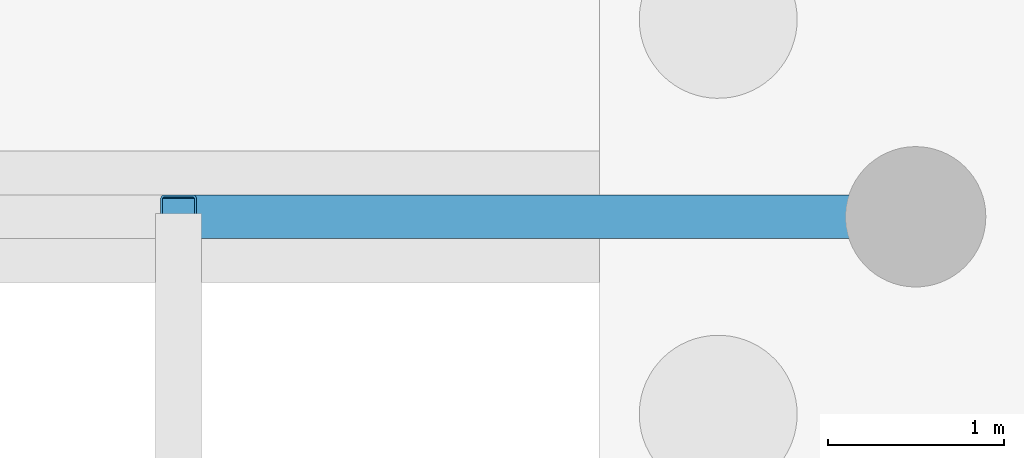
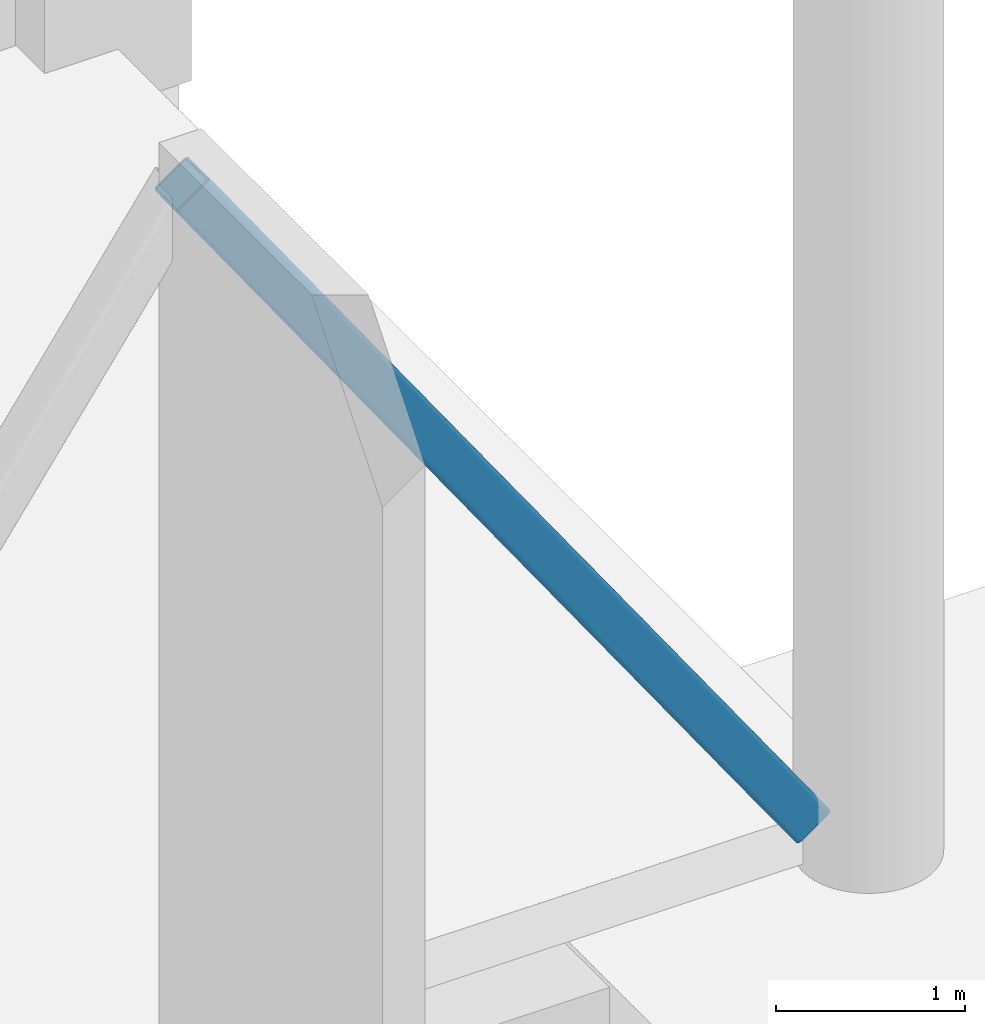
# One storey, part 33 of 72: 1 member.
"""IFC4 building model written with IfcOpenShell, lengths in metres."""

from ifc_helpers import new_model, si_unit, direction, frame, origin, origin_2d, place, context, subcontext, project, spatial, hollow_rectangle, extrude, material, material_profile, profile_set, type_object, element, save


model = new_model("IFC4")

# Units and contexts
model_context = context("Model", 3, precision=1e-05, world=origin(), true_north=direction((0.0, 1.0)))
body_context = subcontext(model_context, "Body", "Model", "MODEL_VIEW")
ifc_project = project(units=[si_unit("LENGTHUNIT", "METRE"), si_unit("AREAUNIT", "SQUARE_METRE"), si_unit("VOLUMEUNIT", "CUBIC_METRE"), si_unit("PLANEANGLEUNIT", "RADIAN"), si_unit("MASSUNIT", "GRAM", prefix="KILO")], contexts=[model_context])

# Site, building, storey
site_placement = place(None, origin())
site = spatial("IfcSite", under=ifc_project, at=site_placement, CompositionType="ELEMENT")
building_placement = place(site_placement, origin())
building = spatial("IfcBuilding", under=site, at=building_placement, Name="Qawsi Khor Wholesale Market", CompositionType="ELEMENT")
storey_placement = place(building_placement, origin())
storey = spatial("IfcBuildingStorey", under=building, at=storey_placement, Name="L00", CompositionType="ELEMENT", Elevation=0.0)

# Member
ifc_material = material(Name="Steel S355", Category="steel")
ifc_material_profile = material_profile(ifc_material, hollow_rectangle(XDim=0.25, YDim=0.25, WallThickness=0.012451171875, InnerFilletRadius=0.012451171875, OuterFilletRadius=0.02490234375, at=origin_2d()), Name="SHS 250x250x12.5")
ifc_profile_set = profile_set([ifc_material_profile], Name="Steel S355")
member_type = type_object("IfcMemberType", Name="Lateral Portal Brace SHS 250x250x12.5", PredefinedType="BRACE", material=ifc_profile_set)
member_placement = place(storey_placement, frame((192.800048828125, 0.0, 0.0), z_axis=(-0.574081019933, 0.0, 0.818798499359), x_axis=(0.0, -1.0, 0.0)))
element("IfcMember", 1, at=member_placement, inside=storey, type_object=member_type, Name="Portal K-brace 2B", PredefinedType="BRACE", context=body_context, shape_type="SweptSolid", body=[
    extrude(hollow_rectangle(XDim=0.25, YDim=0.25, WallThickness=0.012451171875, InnerFilletRadius=0.012451171875, OuterFilletRadius=0.02490234375, at=origin_2d()), origin(), (0.0, 0.0, 1.0), 6.619384765625),
])

save(model, "model.ifc")
